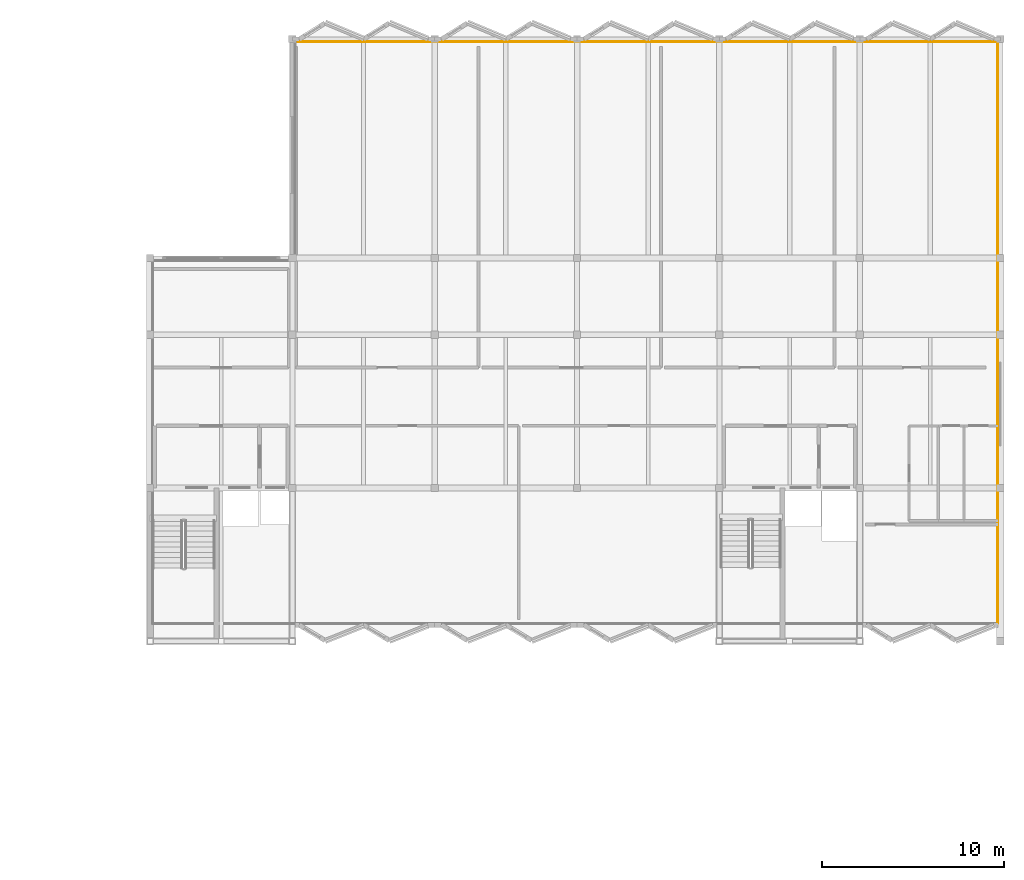
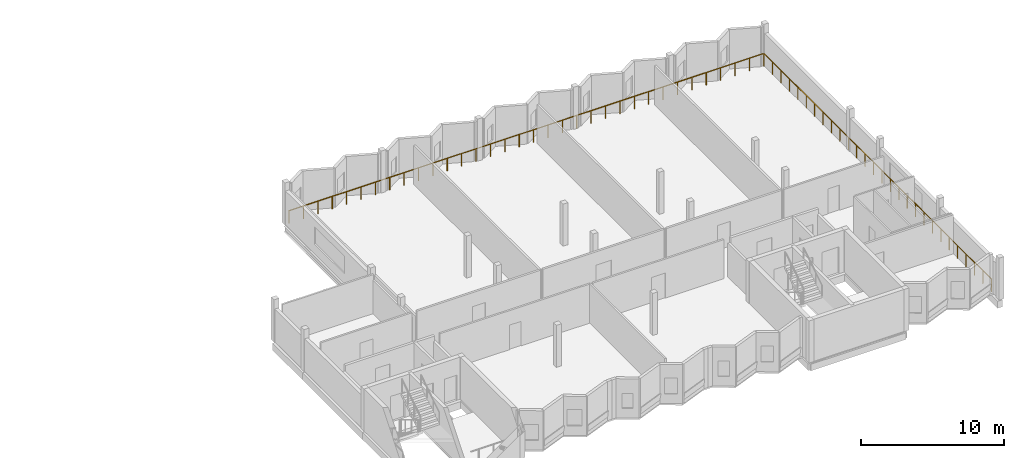
# One storey, part 15 of 15: 2 railings.
"""IFC4 building model written with IfcOpenShell, lengths in metres."""

from ifc_helpers import new_model, si_unit, direction, frame, origin, origin_2d, place, context, subcontext, project, spatial, circle, extrude, material, type_object, element, save


model = new_model("IFC4")

# Units and contexts
model_context = context("Model", 3, precision=1e-05, world=origin(), true_north=direction((0.0, 1.0)))
body_context = subcontext(model_context, "Body", "Model", "MODEL_VIEW")
ifc_project = project(units=[si_unit("LENGTHUNIT", "METRE"), si_unit("AREAUNIT", "SQUARE_METRE"), si_unit("VOLUMEUNIT", "CUBIC_METRE"), si_unit("PLANEANGLEUNIT", "RADIAN"), si_unit("MASSUNIT", "GRAM", prefix="KILO")], contexts=[model_context])

# Site, building, storey
site_placement = place(None, origin())
site = spatial("IfcSite", under=ifc_project, at=site_placement, CompositionType="ELEMENT")
building_placement = place(site_placement, origin())
building = spatial("IfcBuilding", under=site, at=building_placement, Name="Vharandega Faculty of Natural Sciences", CompositionType="ELEMENT")
storey_placement = place(building_placement, frame((0.0, 0.0, 32.39990234375)))
storey = spatial("IfcBuildingStorey", under=building, at=storey_placement, Name="L08", CompositionType="ELEMENT", Elevation=32.39990234375)

# Railings
ifc_material = material(Name="Galvanised painted steel balustrade", Category="steel")
railing_type = type_object("IfcRailingType", Name="Terrace Steel Guardrail 1100", PredefinedType="GUARDRAIL", material=ifc_material)
railing_1_placement = place(storey_placement, frame((161.25, 64.97509765625, 0.0)))
element("IfcRailing", 1, at=railing_1_placement, inside=storey, type_object=railing_type, Name="Perimeter Sill Guard L08 #2", PredefinedType="GUARDRAIL", context=body_context, shape_type="SweptSolid", body=[
    extrude(circle(Radius=0.02392578125, at=origin_2d()), frame((0.0, 0.0, 1.076171875), z_axis=(0.0, 1.0, 0.0), x_axis=(-1.0, 0.0, 0.0)), (0.0, 0.0, 1.0), 31.849853515625),
    extrude(circle(Radius=0.02099609375, at=origin_2d()), origin(), (0.0, 0.0, 1.0), 1.052001953125),
    extrude(circle(Radius=0.02099609375, at=origin_2d()), frame((0.0, 1.1796875, 0.0)), (0.0, 0.0, 1.0), 1.052001953125),
    extrude(circle(Radius=0.02099609375, at=origin_2d()), frame((0.0, 2.359130859375, 0.0)), (0.0, 0.0, 1.0), 1.052001953125),
    extrude(circle(Radius=0.02099609375, at=origin_2d()), frame((0.0, 3.538818359375, 0.0)), (0.0, 0.0, 1.0), 1.052001953125),
    extrude(circle(Radius=0.02099609375, at=origin_2d()), frame((0.0, 4.718505859375, 0.0)), (0.0, 0.0, 1.0), 1.052001953125),
    extrude(circle(Radius=0.02099609375, at=origin_2d()), frame((0.0, 5.898193359375, 0.0)), (0.0, 0.0, 1.0), 1.052001953125),
    extrude(circle(Radius=0.02099609375, at=origin_2d()), frame((0.0, 7.07763671875, 0.0)), (0.0, 0.0, 1.0), 1.052001953125),
    extrude(circle(Radius=0.02099609375, at=origin_2d()), frame((0.0, 8.25732421875, 0.0)), (0.0, 0.0, 1.0), 1.052001953125),
    extrude(circle(Radius=0.02099609375, at=origin_2d()), frame((0.0, 9.43701171875, 0.0)), (0.0, 0.0, 1.0), 1.052001953125),
    extrude(circle(Radius=0.02099609375, at=origin_2d()), frame((0.0, 10.61669921875, 0.0)), (0.0, 0.0, 1.0), 1.052001953125),
    extrude(circle(Radius=0.02099609375, at=origin_2d()), frame((0.0, 11.796142578125, 0.0)), (0.0, 0.0, 1.0), 1.052001953125),
    extrude(circle(Radius=0.02099609375, at=origin_2d()), frame((0.0, 12.975830078125, 0.0)), (0.0, 0.0, 1.0), 1.052001953125),
    extrude(circle(Radius=0.02099609375, at=origin_2d()), frame((0.0, 14.155517578125, 0.0)), (0.0, 0.0, 1.0), 1.052001953125),
    extrude(circle(Radius=0.02099609375, at=origin_2d()), frame((0.0, 15.335205078125, 0.0)), (0.0, 0.0, 1.0), 1.052001953125),
    extrude(circle(Radius=0.02099609375, at=origin_2d()), frame((0.0, 16.5146484375, 0.0)), (0.0, 0.0, 1.0), 1.052001953125),
    extrude(circle(Radius=0.02099609375, at=origin_2d()), frame((0.0, 17.6943359375, 0.0)), (0.0, 0.0, 1.0), 1.052001953125),
    extrude(circle(Radius=0.02099609375, at=origin_2d()), frame((0.0, 18.8740234375, 0.0)), (0.0, 0.0, 1.0), 1.052001953125),
    extrude(circle(Radius=0.02099609375, at=origin_2d()), frame((0.0, 20.0537109375, 0.0)), (0.0, 0.0, 1.0), 1.052001953125),
    extrude(circle(Radius=0.02099609375, at=origin_2d()), frame((0.0, 21.233154296875, 0.0)), (0.0, 0.0, 1.0), 1.052001953125),
    extrude(circle(Radius=0.02099609375, at=origin_2d()), frame((0.0, 22.412841796875, 0.0)), (0.0, 0.0, 1.0), 1.052001953125),
    extrude(circle(Radius=0.02099609375, at=origin_2d()), frame((0.0, 23.592529296875, 0.0)), (0.0, 0.0, 1.0), 1.052001953125),
    extrude(circle(Radius=0.02099609375, at=origin_2d()), frame((0.0, 24.772216796875, 0.0)), (0.0, 0.0, 1.0), 1.052001953125),
    extrude(circle(Radius=0.02099609375, at=origin_2d()), frame((0.0, 25.95166015625, 0.0)), (0.0, 0.0, 1.0), 1.052001953125),
    extrude(circle(Radius=0.02099609375, at=origin_2d()), frame((0.0, 27.13134765625, 0.0)), (0.0, 0.0, 1.0), 1.052001953125),
    extrude(circle(Radius=0.02099609375, at=origin_2d()), frame((0.0, 28.31103515625, 0.0)), (0.0, 0.0, 1.0), 1.052001953125),
    extrude(circle(Radius=0.02099609375, at=origin_2d()), frame((0.0, 29.49072265625, 0.0)), (0.0, 0.0, 1.0), 1.052001953125),
    extrude(circle(Radius=0.02099609375, at=origin_2d()), frame((0.0, 30.670166015625, 0.0)), (0.0, 0.0, 1.0), 1.052001953125),
    extrude(circle(Radius=0.02099609375, at=origin_2d()), frame((0.0, 31.849853515625, 0.0)), (0.0, 0.0, 1.0), 1.052001953125),
])
railing_2_placement = place(storey_placement, frame((161.22509765625, 96.85009765625, 0.0)))
element("IfcRailing", 2, at=railing_2_placement, inside=storey, type_object=railing_type, Name="Perimeter Sill Guard L08 #3", PredefinedType="GUARDRAIL", context=body_context, shape_type="SweptSolid", body=[
    extrude(circle(Radius=0.02392578125, at=origin_2d()), frame((0.0, 0.0, 1.076171875), z_axis=(-1.0, 0.0, 0.0), x_axis=(0.0, -1.0, 0.0)), (0.0, 0.0, 1.0), 38.4501953125),
    extrude(circle(Radius=0.02099609375, at=origin_2d()), origin(), (0.0, 0.0, 1.0), 1.052001953125),
    extrude(circle(Radius=0.02099609375, at=origin_2d()), frame((-1.1650390625, 0.0, 0.0)), (0.0, 0.0, 1.0), 1.052001953125),
    extrude(circle(Radius=0.02099609375, at=origin_2d()), frame((-2.330322265625, 0.0, 0.0)), (0.0, 0.0, 1.0), 1.052001953125),
    extrude(circle(Radius=0.02099609375, at=origin_2d()), frame((-3.495361328125, 0.0, 0.0)), (0.0, 0.0, 1.0), 1.052001953125),
    extrude(circle(Radius=0.02099609375, at=origin_2d()), frame((-4.66064453125, 0.0, 0.0)), (0.0, 0.0, 1.0), 1.052001953125),
    extrude(circle(Radius=0.02099609375, at=origin_2d()), frame((-5.82568359375, 0.0, 0.0)), (0.0, 0.0, 1.0), 1.052001953125),
    extrude(circle(Radius=0.02099609375, at=origin_2d()), frame((-6.990966796875, 0.0, 0.0)), (0.0, 0.0, 1.0), 1.052001953125),
    extrude(circle(Radius=0.02099609375, at=origin_2d()), frame((-8.156005859375, 0.0, 0.0)), (0.0, 0.0, 1.0), 1.052001953125),
    extrude(circle(Radius=0.02099609375, at=origin_2d()), frame((-9.3212890625, 0.0, 0.0)), (0.0, 0.0, 1.0), 1.052001953125),
    extrude(circle(Radius=0.02099609375, at=origin_2d()), frame((-10.486328125, 0.0, 0.0)), (0.0, 0.0, 1.0), 1.052001953125),
    extrude(circle(Radius=0.02099609375, at=origin_2d()), frame((-11.651611328125, 0.0, 0.0)), (0.0, 0.0, 1.0), 1.052001953125),
    extrude(circle(Radius=0.02099609375, at=origin_2d()), frame((-12.816650390625, 0.0, 0.0)), (0.0, 0.0, 1.0), 1.052001953125),
    extrude(circle(Radius=0.02099609375, at=origin_2d()), frame((-13.98193359375, 0.0, 0.0)), (0.0, 0.0, 1.0), 1.052001953125),
    extrude(circle(Radius=0.02099609375, at=origin_2d()), frame((-15.14697265625, 0.0, 0.0)), (0.0, 0.0, 1.0), 1.052001953125),
    extrude(circle(Radius=0.02099609375, at=origin_2d()), frame((-16.312255859375, 0.0, 0.0)), (0.0, 0.0, 1.0), 1.052001953125),
    extrude(circle(Radius=0.02099609375, at=origin_2d()), frame((-17.477294921875, 0.0, 0.0)), (0.0, 0.0, 1.0), 1.052001953125),
    extrude(circle(Radius=0.02099609375, at=origin_2d()), frame((-18.642578125, 0.0, 0.0)), (0.0, 0.0, 1.0), 1.052001953125),
    extrude(circle(Radius=0.02099609375, at=origin_2d()), frame((-19.8076171875, 0.0, 0.0)), (0.0, 0.0, 1.0), 1.052001953125),
    extrude(circle(Radius=0.02099609375, at=origin_2d()), frame((-20.972900390625, 0.0, 0.0)), (0.0, 0.0, 1.0), 1.052001953125),
    extrude(circle(Radius=0.02099609375, at=origin_2d()), frame((-22.137939453125, 0.0, 0.0)), (0.0, 0.0, 1.0), 1.052001953125),
    extrude(circle(Radius=0.02099609375, at=origin_2d()), frame((-23.30322265625, 0.0, 0.0)), (0.0, 0.0, 1.0), 1.052001953125),
    extrude(circle(Radius=0.02099609375, at=origin_2d()), frame((-24.46826171875, 0.0, 0.0)), (0.0, 0.0, 1.0), 1.052001953125),
    extrude(circle(Radius=0.02099609375, at=origin_2d()), frame((-25.633544921875, 0.0, 0.0)), (0.0, 0.0, 1.0), 1.052001953125),
    extrude(circle(Radius=0.02099609375, at=origin_2d()), frame((-26.798583984375, 0.0, 0.0)), (0.0, 0.0, 1.0), 1.052001953125),
    extrude(circle(Radius=0.02099609375, at=origin_2d()), frame((-27.9638671875, 0.0, 0.0)), (0.0, 0.0, 1.0), 1.052001953125),
    extrude(circle(Radius=0.02099609375, at=origin_2d()), frame((-29.12890625, 0.0, 0.0)), (0.0, 0.0, 1.0), 1.052001953125),
    extrude(circle(Radius=0.02099609375, at=origin_2d()), frame((-30.294189453125, 0.0, 0.0)), (0.0, 0.0, 1.0), 1.052001953125),
    extrude(circle(Radius=0.02099609375, at=origin_2d()), frame((-31.459228515625, 0.0, 0.0)), (0.0, 0.0, 1.0), 1.052001953125),
    extrude(circle(Radius=0.02099609375, at=origin_2d()), frame((-32.62451171875, 0.0, 0.0)), (0.0, 0.0, 1.0), 1.052001953125),
    extrude(circle(Radius=0.02099609375, at=origin_2d()), frame((-33.78955078125, 0.0, 0.0)), (0.0, 0.0, 1.0), 1.052001953125),
    extrude(circle(Radius=0.02099609375, at=origin_2d()), frame((-34.954833984375, 0.0, 0.0)), (0.0, 0.0, 1.0), 1.052001953125),
    extrude(circle(Radius=0.02099609375, at=origin_2d()), frame((-36.119873046875, 0.0, 0.0)), (0.0, 0.0, 1.0), 1.052001953125),
    extrude(circle(Radius=0.02099609375, at=origin_2d()), frame((-37.28515625, 0.0, 0.0)), (0.0, 0.0, 1.0), 1.052001953125),
    extrude(circle(Radius=0.02099609375, at=origin_2d()), frame((-38.4501953125, 0.0, 0.0)), (0.0, 0.0, 1.0), 1.052001953125),
])

save(model, "model.ifc")
